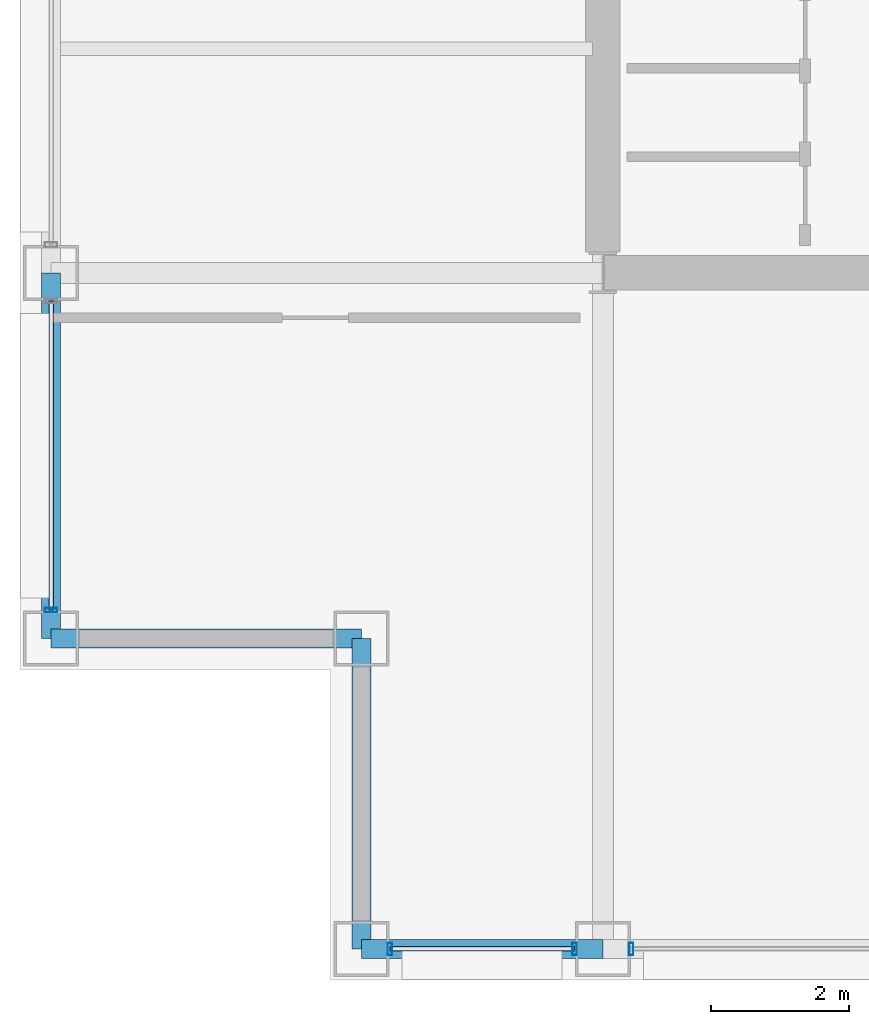
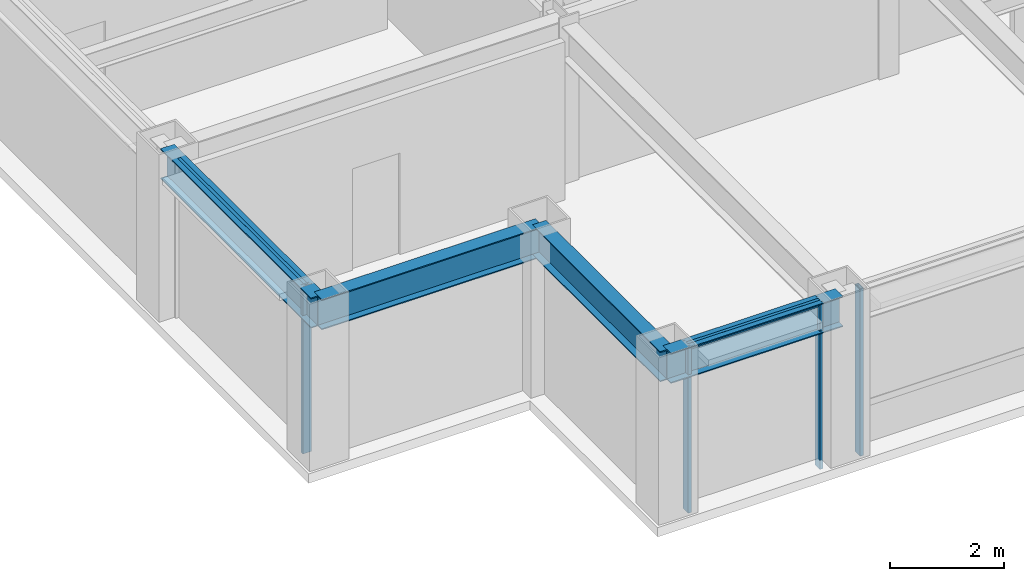
# One storey, part 2 of 29: 6 members, 4 beams, 3 elements without a shape of their own.
"""IFC4 building model written with IfcOpenShell, lengths in metres."""

from ifc_helpers import new_model, si_unit, direction, frame, origin, origin_2d, place, context, subcontext, project, spatial, hollow_rectangle, i_section, extrude, material, layer, layer_set, material_profile, profile_set, type_object, element, aggregate, save


model = new_model("IFC4")

# Units and contexts
model_context = context("Model", 3, precision=1e-05, world=origin(), true_north=direction((0.0, 1.0)))
body_context = subcontext(model_context, "Body", "Model", "MODEL_VIEW")
ifc_project = project(units=[si_unit("LENGTHUNIT", "METRE"), si_unit("AREAUNIT", "SQUARE_METRE"), si_unit("VOLUMEUNIT", "CUBIC_METRE"), si_unit("PLANEANGLEUNIT", "RADIAN"), si_unit("MASSUNIT", "GRAM", prefix="KILO")], contexts=[model_context])

# Site, building, storey
site_placement = place(None, origin())
site = spatial("IfcSite", under=ifc_project, at=site_placement, CompositionType="ELEMENT")
building_placement = place(site_placement, origin())
building = spatial("IfcBuilding", under=site, at=building_placement, Name="Brelmoor Portico Tower", CompositionType="ELEMENT")
storey_placement = place(building_placement, frame((0.0, 0.0, 135.0)))
storey = spatial("IfcBuildingStorey", under=building, at=storey_placement, Name="L35", CompositionType="ELEMENT", Elevation=135.0)

# Beams
ifc_material_1 = material(Name="Steel Q355B", Category="steel")
ifc_material_profile_1 = material_profile(ifc_material_1, i_section(OverallWidth=0.280029296875, OverallDepth=0.64990234375, WebThickness=0.012939453125, FlangeThickness=0.02197265625, at=origin_2d()), Name="HN 650x280x13x22")
ifc_profile_set_1 = profile_set([ifc_material_profile_1], Name="Steel Q355B")
beam_type = type_object("IfcBeamType", Name="BM-SP-650", PredefinedType="SPANDREL", material=ifc_profile_set_1)
beam_1_placement = place(storey_placement, frame((-18.050048828125, -19.550048828125, 3.074951171875), z_axis=(1.0, 0.0, 0.0), x_axis=(0.0, 1.0, 0.0)))
element("IfcBeam", 1, at=beam_1_placement, inside=storey, type_object=beam_type, Name="L35 Perimeter Spandrel Beam SP-01", PredefinedType="SPANDREL", context=body_context, shape_type="SweptSolid", body=[
    extrude(i_section(OverallWidth=0.280029296875, OverallDepth=0.64990234375, WebThickness=0.012939453125, FlangeThickness=0.02197265625, at=origin_2d()), origin(), (0.0, 0.0, 1.0), 3.5),
])
beam_2_placement = place(storey_placement, frame((-22.550048828125, -15.050048828125, 3.074951171875), z_axis=(1.0, 0.0, 0.0), x_axis=(0.0, 1.0, 0.0)))
element("IfcBeam", 2, at=beam_2_placement, inside=storey, type_object=beam_type, Name="L35 Perimeter Spandrel Beam SP-06", PredefinedType="SPANDREL", context=body_context, shape_type="SweptSolid", body=[
    extrude(i_section(OverallWidth=0.280029296875, OverallDepth=0.64990234375, WebThickness=0.012939453125, FlangeThickness=0.02197265625, at=origin_2d()), origin(), (0.0, 0.0, 1.0), 4.5),
])
beam_3_placement = place(storey_placement, frame((-22.550048828125, -15.050048828125, 3.074951171875), z_axis=(0.0, 1.0, 0.0), x_axis=(-1.0, 0.0, 0.0)))
element("IfcBeam", 3, at=beam_3_placement, inside=storey, type_object=beam_type, Name="L35 Perimeter Spandrel Beam SP-15", PredefinedType="SPANDREL", context=body_context, shape_type="SweptSolid", body=[
    extrude(i_section(OverallWidth=0.280029296875, OverallDepth=0.64990234375, WebThickness=0.012939453125, FlangeThickness=0.02197265625, at=origin_2d()), origin(), (0.0, 0.0, 1.0), 5.300048828125),
])
beam_4_placement = place(storey_placement, frame((-18.050048828125, -19.550048828125, 3.074951171875), z_axis=(0.0, 1.0, 0.0), x_axis=(-1.0, 0.0, 0.0)))
element("IfcBeam", 4, at=beam_4_placement, inside=storey, type_object=beam_type, Name="L35 Perimeter Spandrel Beam SP-18", PredefinedType="SPANDREL", context=body_context, shape_type="SweptSolid", body=[
    extrude(i_section(OverallWidth=0.280029296875, OverallDepth=0.64990234375, WebThickness=0.012939453125, FlangeThickness=0.02197265625, at=origin_2d()), origin(), (0.0, 0.0, 1.0), 4.5),
])

# Curtain wall, members
ifc_material_2 = material(Name="Anodised Aluminium Alloy 6063-T6", Category="aluminium")
ifc_layer_1 = layer(ifc_material_2, 0.179931640625)
ifc_layer_set_1 = layer_set([ifc_layer_1], Name="Anodised Aluminium Alloy 6063-T6")
curtain_wall_type_1 = type_object("IfcCurtainWallType", Name="CW-TOWER-Z2-XB", PredefinedType="NOTDEFINED", material=ifc_layer_set_1)
curtain_wall_1_placement = place(storey_placement, origin())
curtain_wall_1 = element("IfcCurtainWall", 5, at=curtain_wall_1_placement, inside=storey, type_object=curtain_wall_type_1, Name="L35 Curtain Wall CW-L35-01-1", PredefinedType="NOTDEFINED")
ifc_material_profile_2 = material_profile(ifc_material_2, hollow_rectangle(XDim=0.06494140625, YDim=0.179931640625, WallThickness=0.00390625, at=origin_2d()), Name="ALU MULLION 65x180")
ifc_profile_set_2 = profile_set([ifc_material_profile_2], Name="Anodised Aluminium Alloy 6063-T6")
member_type_1 = type_object("IfcMemberType", Name="MB-CW-MULL-180", PredefinedType="MULLION", material=ifc_profile_set_2)
member_1_placement = place(storey_placement, frame((-17.639892578125, -19.550048828125, -0.199951171875), z_axis=(0.0, 0.0, 1.0), x_axis=(1.0, 0.0, 0.0)))
member_1 = element("IfcMember", 6, at=member_1_placement, type_object=member_type_1, Name="CW-L35-01-1 Mullion 00", PredefinedType="MULLION", context=body_context, shape_type="SweptSolid", body=[
    extrude(hollow_rectangle(XDim=0.06494140625, YDim=0.179931640625, WallThickness=0.00390625, at=origin_2d()), origin(), (0.0, 0.0, 1.0), 3.599853515625),
])
member_2_placement = place(storey_placement, frame((-14.9599609375, -19.550048828125, -0.199951171875), z_axis=(0.0, 0.0, 1.0), x_axis=(1.0, 0.0, 0.0)))
member_2 = element("IfcMember", 7, at=member_2_placement, type_object=member_type_1, Name="CW-L35-01-1 Mullion 01", PredefinedType="MULLION", context=body_context, shape_type="SweptSolid", body=[
    extrude(hollow_rectangle(XDim=0.06494140625, YDim=0.179931640625, WallThickness=0.00390625, at=origin_2d()), origin(), (0.0, 0.0, 1.0), 3.599853515625),
])

# Curtain wall, member
ifc_layer_2 = layer(ifc_material_2, 0.179931640625)
ifc_layer_set_2 = layer_set([ifc_layer_2], Name="Anodised Aluminium Alloy 6063-T6")
curtain_wall_type_2 = type_object("IfcCurtainWallType", Name="CW-TOWER-Z2", PredefinedType="NOTDEFINED", material=ifc_layer_set_2)
curtain_wall_2_placement = place(storey_placement, origin())
curtain_wall_2 = element("IfcCurtainWall", 8, at=curtain_wall_2_placement, inside=storey, type_object=curtain_wall_type_2, Name="L35 Curtain Wall CW-L35-01-2", PredefinedType="NOTDEFINED")
member_3_placement = place(storey_placement, frame((-14.139892578125, -19.550048828125, -0.199951171875), z_axis=(0.0, 0.0, 1.0), x_axis=(1.0, 0.0, 0.0)))
member_3 = element("IfcMember", 9, at=member_3_placement, type_object=member_type_1, Name="CW-L35-01-2 Mullion 00", PredefinedType="MULLION", context=body_context, shape_type="SweptSolid", body=[
    extrude(hollow_rectangle(XDim=0.06494140625, YDim=0.179931640625, WallThickness=0.00390625, at=origin_2d()), origin(), (0.0, 0.0, 1.0), 3.599853515625),
])
aggregate(curtain_wall_2, [member_3])

curtain_wall_3_placement = place(storey_placement, origin())
curtain_wall_3 = element("IfcCurtainWall", 10, at=curtain_wall_3_placement, inside=storey, type_object=curtain_wall_type_1, Name="L35 Curtain Wall CW-L35-03-1", PredefinedType="NOTDEFINED")
member_4_placement = place(storey_placement, frame((-22.550048828125, -14.639892578125, -0.199951171875), z_axis=(0.0, 0.0, 1.0), x_axis=(0.0, 1.0, 0.0)))
member_4 = element("IfcMember", 11, at=member_4_placement, type_object=member_type_1, Name="CW-L35-03-1 Mullion 00", PredefinedType="MULLION", context=body_context, shape_type="SweptSolid", body=[
    extrude(hollow_rectangle(XDim=0.06494140625, YDim=0.179931640625, WallThickness=0.00390625, at=origin_2d()), origin(), (0.0, 0.0, 1.0), 3.599853515625),
])

# Member
ifc_material_profile_3 = material_profile(ifc_material_2, hollow_rectangle(XDim=0.06494140625, YDim=0.139892578125, WallThickness=0.00390625, at=origin_2d()), Name="ALU TRANSOM 65x140")
ifc_profile_set_3 = profile_set([ifc_material_profile_3], Name="Anodised Aluminium Alloy 6063-T6")
member_type_2 = type_object("IfcMemberType", Name="MB-CW-TRAN-140", PredefinedType="USERDEFINED", material=ifc_profile_set_3)
member_5_placement = place(storey_placement, frame((-17.639892578125, -19.550048828125, 3.330078125), z_axis=(1.0, 0.0, 0.0), x_axis=(0.0, 1.0, 0.0)))
member_5 = element("IfcMember", 12, at=member_5_placement, type_object=member_type_2, Name="CW-L35-01-1 Transom 1-00", ObjectType="TRANSOM", PredefinedType="USERDEFINED", context=body_context, shape_type="SweptSolid", body=[
    extrude(hollow_rectangle(XDim=0.06494140625, YDim=0.139892578125, WallThickness=0.00390625, at=origin_2d()), origin(), (0.0, 0.0, 1.0), 2.679931640625),
])

aggregate(curtain_wall_1, [member_1, member_2, member_5])

member_6_placement = place(storey_placement, frame((-22.550048828125, -14.639892578125, 3.330078125), z_axis=(0.0, 1.0, 0.0), x_axis=(-1.0, 0.0, 0.0)))
member_6 = element("IfcMember", 13, at=member_6_placement, type_object=member_type_2, Name="CW-L35-03-1 Transom 1-00", ObjectType="TRANSOM", PredefinedType="USERDEFINED", context=body_context, shape_type="SweptSolid", body=[
    extrude(hollow_rectangle(XDim=0.06494140625, YDim=0.139892578125, WallThickness=0.00390625, at=origin_2d()), origin(), (0.0, 0.0, 1.0), 4.47998046875),
])

aggregate(curtain_wall_3, [member_4, member_6])

save(model, "model.ifc")
